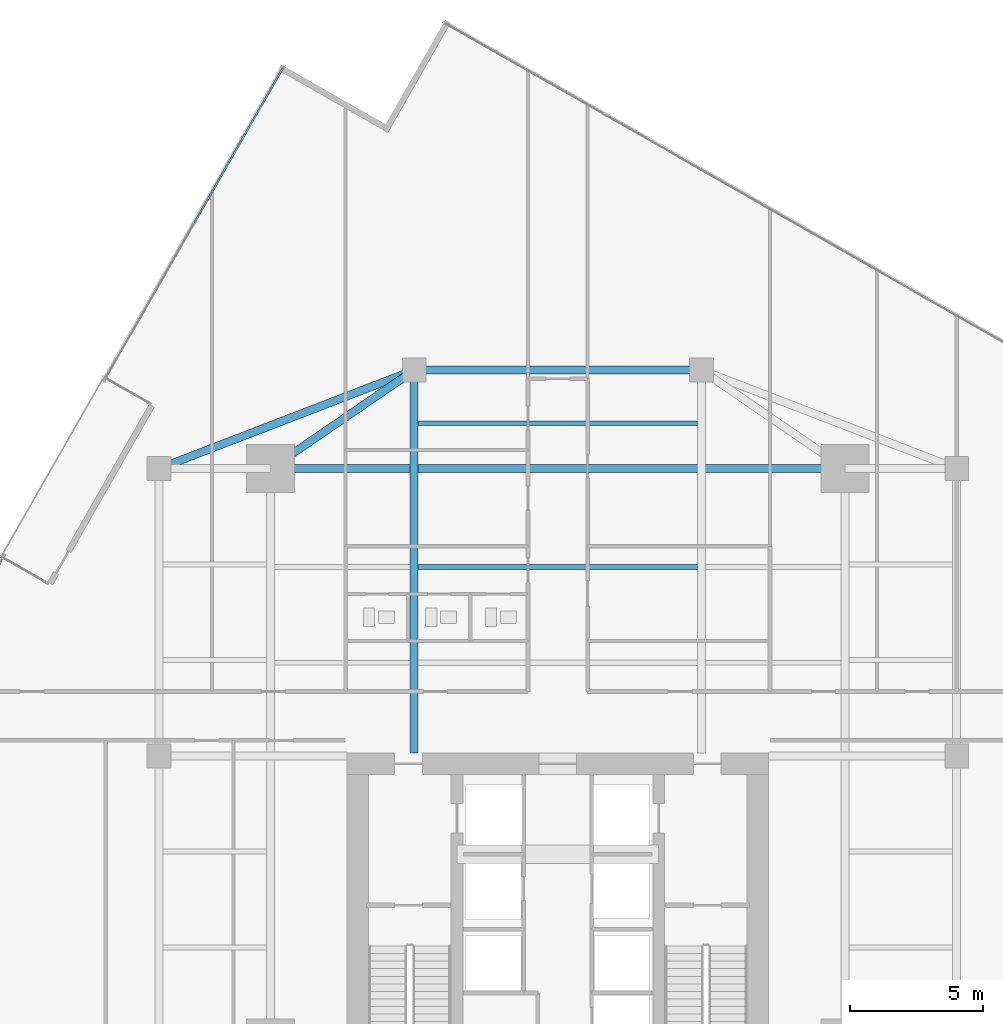
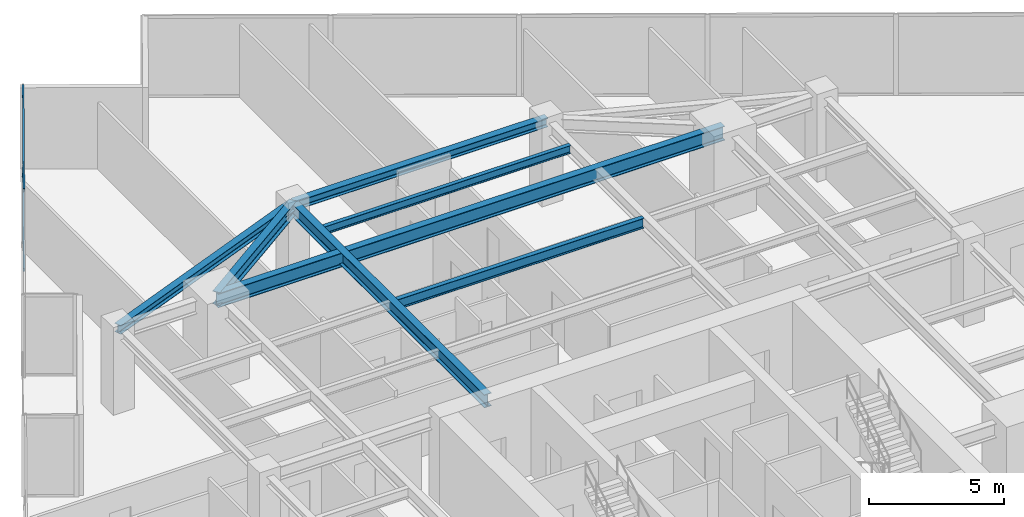
# One storey, part 14 of 24: 7 beams, 2 members, 1 element without a shape of its own.
"""IFC4 building model written with IfcOpenShell, lengths in metres."""

from ifc_helpers import new_model, si_unit, direction, frame, origin, origin_2d, place, context, subcontext, project, spatial, hollow_rectangle, i_section, extrude, source, transform, mapped, material, material_profile, profile_set, type_object, type_shapes, element, aggregate, save


model = new_model("IFC4")

# Units and contexts
model_context = context("Model", 3, precision=1e-05, world=origin(), true_north=direction((0.0, 1.0)))
body_context = subcontext(model_context, "Body", "Model", "MODEL_VIEW")
ifc_project = project(units=[si_unit("LENGTHUNIT", "METRE"), si_unit("AREAUNIT", "SQUARE_METRE"), si_unit("VOLUMEUNIT", "CUBIC_METRE"), si_unit("PLANEANGLEUNIT", "RADIAN"), si_unit("MASSUNIT", "GRAM", prefix="KILO")], contexts=[model_context])

# Site, building, storey
site_placement = place(None, origin())
site = spatial("IfcSite", under=ifc_project, at=site_placement, CompositionType="ELEMENT")
building_placement = place(site_placement, origin())
building = spatial("IfcBuilding", under=site, at=building_placement, Name="Krantzveldt Concourse Tower", CompositionType="ELEMENT")
storey_placement = place(building_placement, frame((0.0, 0.0, 165.949951171875)))
storey = spatial("IfcBuildingStorey", under=building, at=storey_placement, Name="L40", CompositionType="ELEMENT", Elevation=165.949951171875)

# Beams
ifc_material_1 = material(Name="Steel S355JR", Category="steel")
ifc_material_profile_1 = material_profile(ifc_material_1, i_section(OverallWidth=0.300048828125, OverallDepth=0.639892578125, WebThickness=0.013427734375, FlangeThickness=0.02587890625, FilletRadius=0.027099609375, at=origin_2d()), Name="Steel S355JR", Category="steel")
ifc_profile_set_1 = profile_set([ifc_material_profile_1], Name="Steel S355JR - HEA 650")
beam_type_1 = type_object("IfcBeamType", Name="BM-B-HEA650", PredefinedType="BEAM", material=ifc_profile_set_1)
shared_shape_1 = source(origin(), body_context, "Body", "SweptSolid", [
    extrude(i_section(OverallWidth=0.300048828125, OverallDepth=0.639892578125, WebThickness=0.013427734375, FlangeThickness=0.02587890625, FilletRadius=0.027099609375, at=origin_2d()), origin(), (0.0, 0.0, 1.0), 21.60009765625),
])
type_shapes(beam_type_1, [shared_shape_1])
beam_1_placement = place(storey_placement, frame((25.199951171875, 37.5, 3.35009765625), z_axis=(1.0, 0.0, 0.0), x_axis=(0.0, 1.0, 0.0)))
element("IfcBeam", 1, at=beam_1_placement, inside=storey, type_object=beam_type_1, Name="L40 Tower Girder BG-MN", PredefinedType="BEAM", context=body_context, shape_type="MappedRepresentation", body=[
    mapped(shared_shape_1, transform((0.0, 0.0, 0.0), x_axis=(1.0, 0.0, 0.0), y_axis=(0.0, 1.0, 0.0), z_axis=(0.0, 0.0, 1.0), scale=1.0)),
])
ifc_material_profile_2 = material_profile(ifc_material_1, i_section(OverallWidth=0.300048828125, OverallDepth=0.590087890625, WebThickness=0.012939453125, FlangeThickness=0.02490234375, FilletRadius=0.027099609375, at=origin_2d()), Name="Steel S355JR", Category="steel")
ifc_profile_set_2 = profile_set([ifc_material_profile_2], Name="Steel S355JR - HEA 600")
beam_type_2 = type_object("IfcBeamType", Name="BM-B-HEA600", PredefinedType="BEAM", material=ifc_profile_set_2)
shared_shape_2 = source(origin(), body_context, "Body", "SweptSolid", [
    extrude(i_section(OverallWidth=0.300048828125, OverallDepth=0.590087890625, WebThickness=0.012939453125, FlangeThickness=0.02490234375, FilletRadius=0.027099609375, at=origin_2d()), origin(), (0.0, 0.0, 1.0), 14.39990234375),
])
beam_2_placement = place(storey_placement, frame((30.60009765625, 26.800048828125, 3.375), z_axis=(0.0, 1.0, 0.0), x_axis=(-1.0, 0.0, 0.0)))
element("IfcBeam", 2, at=beam_2_placement, inside=storey, type_object=beam_type_2, Name="L40 Tower Girder BG-CNW", PredefinedType="BEAM", context=body_context, shape_type="MappedRepresentation", body=[
    mapped(shared_shape_2, transform((0.0, 0.0, 0.0), x_axis=(1.0, 0.0, 0.0), y_axis=(0.0, 1.0, 0.0), z_axis=(0.0, 0.0, 1.0), scale=1.0)),
])
shared_shape_3 = source(origin(), body_context, "Body", "SweptSolid", [
    extrude(i_section(OverallWidth=0.300048828125, OverallDepth=0.590087890625, WebThickness=0.012939453125, FlangeThickness=0.02490234375, FilletRadius=0.027099609375, at=origin_2d()), origin(), (0.0, 0.0, 1.0), 6.546142578125),
])
type_shapes(beam_type_2, [shared_shape_2, shared_shape_3])
beam_3_placement = place(storey_placement, frame((25.199951171875, 37.5, 3.375), z_axis=(0.824942999484, 0.565215930068, 0.0), x_axis=(-0.565215930068, 0.824942999484, 0.0)))
element("IfcBeam", 3, at=beam_3_placement, inside=storey, type_object=beam_type_2, Name="L40 Tower Girder BR-RL4", PredefinedType="BEAM", context=body_context, shape_type="MappedRepresentation", body=[
    mapped(shared_shape_3, transform((0.0, 0.0, 0.0), x_axis=(1.0, 0.0, 0.0), y_axis=(0.0, 1.0, 0.0), z_axis=(0.0, 0.0, 1.0), scale=1.0)),
])
ifc_material_profile_3 = material_profile(ifc_material_1, i_section(OverallWidth=0.18994140625, OverallDepth=0.449951171875, WebThickness=0.009521484375, FlangeThickness=0.0146484375, FilletRadius=0.02099609375, at=origin_2d()), Name="Steel S355JR", Category="steel")
ifc_profile_set_3 = profile_set([ifc_material_profile_3], Name="Steel S355JR - IPE 450")
beam_type_3 = type_object("IfcBeamType", Name="BM-J-IPE450", PredefinedType="JOIST", material=ifc_profile_set_3)
shared_shape_4 = source(origin(), body_context, "Body", "SweptSolid", [
    extrude(i_section(OverallWidth=0.18994140625, OverallDepth=0.449951171875, WebThickness=0.009521484375, FlangeThickness=0.0146484375, FilletRadius=0.02099609375, at=origin_2d()), origin(), (0.0, 0.0, 1.0), 10.5),
])
type_shapes(beam_type_3, [shared_shape_4])
beam_4_placement = place(storey_placement, frame((30.75, 33.800048828125, 3.445068359375), z_axis=(1.0, 0.0, 0.0), x_axis=(0.0, 1.0, 0.0)))
element("IfcBeam", 4, at=beam_4_placement, inside=storey, type_object=beam_type_3, Name="L40 Secondary Floor Joist JN-C2", PredefinedType="JOIST", context=body_context, shape_type="MappedRepresentation", body=[
    mapped(shared_shape_4, transform((0.0, 0.0, 0.0), x_axis=(1.0, 0.0, 0.0), y_axis=(0.0, 1.0, 0.0), z_axis=(0.0, 0.0, 1.0), scale=1.0)),
])
ifc_material_profile_4 = material_profile(ifc_material_1, i_section(OverallWidth=0.300048828125, OverallDepth=0.389892578125, WebThickness=0.010986328125, FlangeThickness=0.01904296875, FilletRadius=0.027099609375, at=origin_2d()), Name="Steel S355JR", Category="steel")
ifc_profile_set_4 = profile_set([ifc_material_profile_4], Name="Steel S355JR - HEA 400")
beam_type_4 = type_object("IfcBeamType", Name="BM-SP-HEA400", PredefinedType="SPANDREL", material=ifc_profile_set_4)
shared_shape_5 = source(origin(), body_context, "Body", "SweptSolid", [
    extrude(i_section(OverallWidth=0.300048828125, OverallDepth=0.389892578125, WebThickness=0.010986328125, FlangeThickness=0.01904296875, FilletRadius=0.027099609375, at=origin_2d()), origin(), (0.0, 0.0, 1.0), 10.288330078125),
])
beam_5_placement = place(storey_placement, frame((21.0, 37.5, 3.47509765625), z_axis=(0.933097690408, 0.359622997257, 0.0), x_axis=(-0.359622997257, 0.933097690408, 0.0)))
element("IfcBeam", 5, at=beam_5_placement, inside=storey, type_object=beam_type_4, Name="L40 Tower Girder SP-R03", PredefinedType="SPANDREL", context=body_context, shape_type="MappedRepresentation", body=[
    mapped(shared_shape_5, transform((0.0, 0.0, 0.0), x_axis=(1.0, 0.0, 0.0), y_axis=(0.0, 1.0, 0.0), z_axis=(0.0, 0.0, 1.0), scale=1.0)),
])
shared_shape_6 = source(origin(), body_context, "Body", "SweptSolid", [
    extrude(i_section(OverallWidth=0.300048828125, OverallDepth=0.389892578125, WebThickness=0.010986328125, FlangeThickness=0.01904296875, FilletRadius=0.027099609375, at=origin_2d()), origin(), (0.0, 0.0, 1.0), 10.7998046875),
])
type_shapes(beam_type_4, [shared_shape_5, shared_shape_6])
beam_6_placement = place(storey_placement, frame((30.60009765625, 41.199951171875, 3.47509765625), z_axis=(1.0, 0.0, 0.0), x_axis=(0.0, 1.0, 0.0)))
element("IfcBeam", 6, at=beam_6_placement, inside=storey, type_object=beam_type_4, Name="L40 Tower Girder SP-R04", PredefinedType="SPANDREL", context=body_context, shape_type="MappedRepresentation", body=[
    mapped(shared_shape_6, transform((0.0, 0.0, 0.0), x_axis=(1.0, 0.0, 0.0), y_axis=(0.0, 1.0, 0.0), z_axis=(0.0, 0.0, 1.0), scale=1.0)),
])
ifc_material_profile_5 = material_profile(ifc_material_1, i_section(OverallWidth=0.169921875, OverallDepth=0.360107421875, WebThickness=0.008056640625, FlangeThickness=0.0126953125, FilletRadius=0.01806640625, at=origin_2d()), Name="Steel S355JR", Category="steel")
ifc_profile_set_5 = profile_set([ifc_material_profile_5], Name="Steel S355JR - IPE 360")
beam_type_5 = type_object("IfcBeamType", Name="BM-J-IPE360", PredefinedType="JOIST", material=ifc_profile_set_5)
shared_shape_7 = source(origin(), body_context, "Body", "SweptSolid", [
    extrude(i_section(OverallWidth=0.169921875, OverallDepth=0.360107421875, WebThickness=0.008056640625, FlangeThickness=0.0126953125, FilletRadius=0.01806640625, at=origin_2d()), origin(), (0.0, 0.0, 1.0), 10.5),
])
type_shapes(beam_type_5, [shared_shape_7])
beam_7_placement = place(storey_placement, frame((30.75, 39.199951171875, 3.489990234375), z_axis=(1.0, 0.0, 0.0), x_axis=(0.0, 1.0, 0.0)))
element("IfcBeam", 7, at=beam_7_placement, inside=storey, type_object=beam_type_5, Name="L40 Secondary Floor Joist JN-C3", PredefinedType="JOIST", context=body_context, shape_type="MappedRepresentation", body=[
    mapped(shared_shape_7, transform((0.0, 0.0, 0.0), x_axis=(1.0, 0.0, 0.0), y_axis=(0.0, 1.0, 0.0), z_axis=(0.0, 0.0, 1.0), scale=1.0)),
])

# Curtain wall, members
ifc_material_2 = material(Name="Anodised aluminium 6063-T6", Category="aluminium")
curtain_wall_type = type_object("IfcCurtainWallType", Name="CW3", PredefinedType="USERDEFINED", material=ifc_material_2)
curtain_wall_placement = place(storey_placement, origin())
curtain_wall = element("IfcCurtainWall", 8, at=curtain_wall_placement, inside=storey, type_object=curtain_wall_type, Name="CW-L40-F01", ObjectType="UNITISED CURTAIN WALL", PredefinedType="USERDEFINED")
ifc_material_profile_6 = material_profile(ifc_material_2, hollow_rectangle(XDim=0.070068359375, YDim=0.139892578125, WallThickness=0.0048828125, at=origin_2d()), Name="Anodised aluminium 6063-T6", Category="aluminium")
ifc_profile_set_6 = profile_set([ifc_material_profile_6], Name="Anodised aluminium 6063-T6 - ALU-TRAN 140x70x5")
member_type = type_object("IfcMemberType", Name="CW-TRN-150", PredefinedType="USERDEFINED", material=ifc_profile_set_6)
shared_shape_8 = source(origin(), body_context, "Body", "SweptSolid", [
    extrude(hollow_rectangle(XDim=0.070068359375, YDim=0.139892578125, WallThickness=0.0048828125, at=origin_2d()), origin(), (0.0, 0.0, 1.0), 6.695068359375),
])
type_shapes(member_type, [shared_shape_8])
member_1_placement = place(storey_placement, frame((25.6640625, 52.568359375, 0.03515625), z_axis=(-0.496233186751, -0.868189279113, 0.0), x_axis=(0.868189279113, -0.496233186751, 0.0)))
member_1 = element("IfcMember", 9, at=member_1_placement, type_object=member_type, Name="CW-Z34 transom 1.1", ObjectType="TRANSOM", PredefinedType="USERDEFINED", context=body_context, shape_type="MappedRepresentation", body=[
    mapped(shared_shape_8, transform((0.0, 0.0, 0.0), x_axis=(1.0, 0.0, 0.0), y_axis=(0.0, 1.0, 0.0), z_axis=(0.0, 0.0, 1.0), scale=1.0)),
])
member_2_placement = place(storey_placement, frame((25.6640625, 52.568359375, 3.635009765625), z_axis=(-0.496233186751, -0.868189279113, 0.0), x_axis=(0.868189279113, -0.496233186751, 0.0)))
member_2 = element("IfcMember", 10, at=member_2_placement, type_object=member_type, Name="CW-Z34 transom 1.2", ObjectType="TRANSOM", PredefinedType="USERDEFINED", context=body_context, shape_type="MappedRepresentation", body=[
    mapped(shared_shape_8, transform((0.0, 0.0, 0.0), x_axis=(1.0, 0.0, 0.0), y_axis=(0.0, 1.0, 0.0), z_axis=(0.0, 0.0, 1.0), scale=1.0)),
])
aggregate(curtain_wall, [member_1, member_2])

save(model, "model.ifc")
